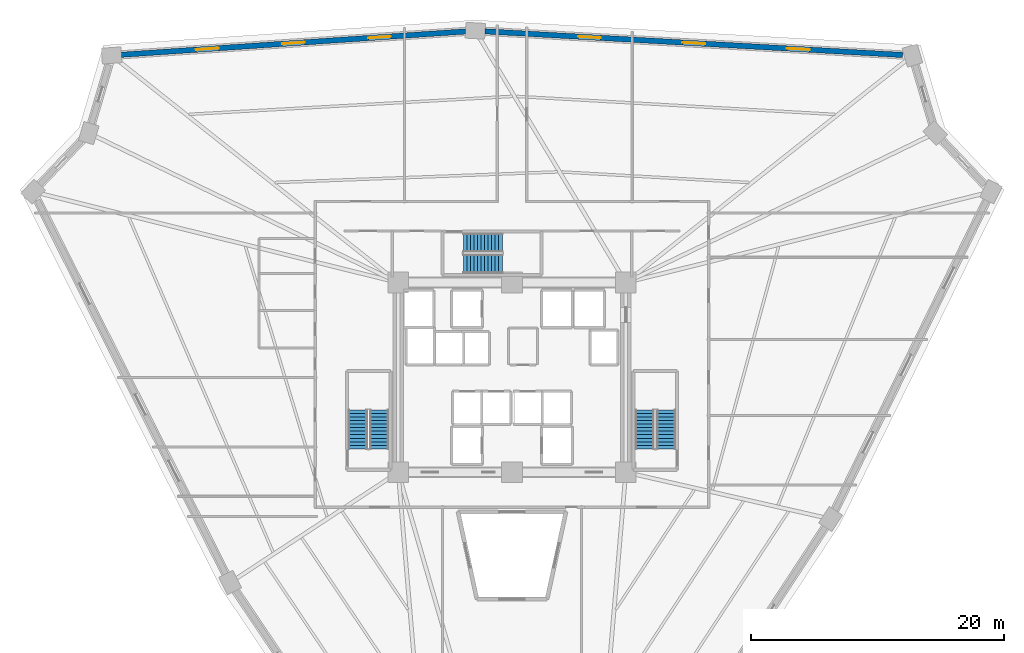
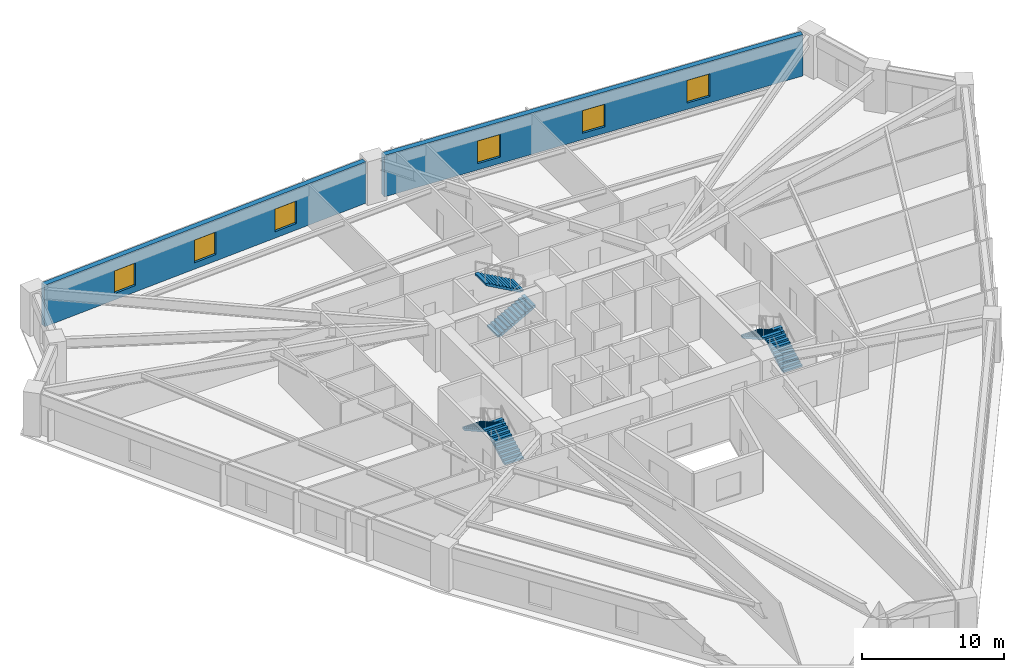
# One storey, part 7 of 8: 6 stair flights, 6 windows, 2 walls, 6 openings, 3 elements without a shape of their own.
"""IFC4 building model written with IfcOpenShell, lengths in metres."""

import ifcopenshell
import ifcopenshell.guid

model = None  # the IFC model being written
_history = None  # IfcOwnerHistory: only IFC2X3 demands one
_inside = {}  # id of a spatial element -> (the spatial element, [elements in it])
_under = {}  # id of a project, library or spatial element -> (it, [spatial elements below it])
_declared = {}  # id of a project -> (the project, [libraries it declares])
_typed = {}  # id of a type object -> (the type object, [elements of that type])
_made_of = {}  # id of a material, layer set ... -> (it, [elements and type objects made of it])


def new_model(schema):
    """Start an empty IFC model of exactly this schema.

    Asked for "IFC4X3", IfcOpenShell would pick the latest addendum, in which some entities
    have other attributes; the version numbers below select the first issue.
    IFC2X3 requires an IfcOwnerHistory on every rooted entity: one is made here for all.
    """
    global model, _history
    if schema == "IFC4X3":
        model = ifcopenshell.file(schema_version=(4, 3, 0, 0))
    else:
        model = ifcopenshell.file(schema=schema)
    _inside.clear()
    _under.clear()
    _declared.clear()
    _typed.clear()
    _made_of.clear()
    _history = None
    if model.schema == "IFC2X3":
        org = make("IfcOrganization", Name="unknown")
        user = make(
            "IfcPersonAndOrganization",
            ThePerson=make("IfcPerson", FamilyName="unknown"),
            TheOrganization=org,
        )
        app = make(
            "IfcApplication",
            ApplicationDeveloper=org,
            Version="unknown",
            ApplicationFullName="unknown",
            ApplicationIdentifier="unknown",
        )
        _history = make(
            "IfcOwnerHistory",
            OwningUser=user,
            OwningApplication=app,
            ChangeAction="ADDED",
            CreationDate=0,
        )
    return model


def make(cls, **values):
    """One entity of the class cls with the attributes given. An attribute that is None is left unset."""
    return model.create_entity(
        cls, **{name: value for name, value in values.items() if value is not None}
    )


def rooted(cls, **values):
    """An entity with a GlobalId (a new one), such as an element, a storey or a relation."""
    return make(cls, GlobalId=ifcopenshell.guid.new(), OwnerHistory=_history, **values)


def si_unit(unit_type, name, prefix=None):
    """IfcSIUnit, for example si_unit("LENGTHUNIT", "METRE", prefix="MILLI")."""
    return make("IfcSIUnit", UnitType=unit_type, Prefix=prefix, Name=name)


def assignment(units):
    """IfcUnitAssignment: the units of a project."""
    return None if units is None else make("IfcUnitAssignment", Units=units)


def point(xyz):
    """IfcCartesianPoint."""
    return None if xyz is None else make("IfcCartesianPoint", Coordinates=xyz)


def direction(xyz):
    """IfcDirection."""
    return None if xyz is None else make("IfcDirection", DirectionRatios=xyz)


def frame(location, z_axis=None, x_axis=None):
    """IfcAxis2Placement3D, a coordinate frame: its origin and axes. An axis left out is left unset."""
    return make(
        "IfcAxis2Placement3D",
        Location=point(location),
        Axis=direction(z_axis),
        RefDirection=direction(x_axis),
    )


def frame_2d(location, x_axis=None):
    """IfcAxis2Placement2D, a coordinate frame in the plane: its origin and x axis."""
    return make(
        "IfcAxis2Placement2D", Location=point(location), RefDirection=direction(x_axis)
    )


def origin():
    """The frame at (0, 0, 0) with its axes left unset."""
    return frame((0.0, 0.0, 0.0))


def place(relative_to, where):
    """IfcLocalPlacement: puts the frame where relative to a parent placement (None: the world)."""
    return make(
        "IfcLocalPlacement", PlacementRelTo=relative_to, RelativePlacement=where
    )


def context(
    kind, dimensions, precision=None, world=None, true_north=None, identifier=None
):
    """IfcGeometricRepresentationContext, for example the 3D "Model" context."""
    return make(
        "IfcGeometricRepresentationContext",
        ContextIdentifier=identifier,
        ContextType=kind,
        CoordinateSpaceDimension=dimensions,
        Precision=precision,
        WorldCoordinateSystem=world,
        TrueNorth=true_north,
    )


def subcontext(parent, identifier, kind, view, scale=None):
    """IfcGeometricRepresentationSubContext, for example "Body" below "Model"."""
    return make(
        "IfcGeometricRepresentationSubContext",
        ContextIdentifier=identifier,
        ContextType=kind,
        ParentContext=parent,
        TargetScale=scale,
        TargetView=view,
    )


def project(units=None, contexts=None):
    """IfcProject with its units and contexts."""
    return rooted(
        "IfcProject",
        Name="project",
        RepresentationContexts=contexts,
        UnitsInContext=assignment(units),
    )


def spatial(cls, under=None, at=None, **own):
    """A site, building, storey or space (cls), placed at a placement, below another one or the project."""
    s = rooted(cls, ObjectPlacement=at, **own)
    if under is not None:
        _under.setdefault(under.id(), (under, []))[1].append(s)
    return s


def polyline(points):
    """IfcPolyline through the points."""
    return make("IfcPolyline", Points=[point(p) for p in points])


def profile(cls, at=None, kind="AREA", **sizes):
    """A parametric profile (cls). Its sizes go by their IFC names, for example OverallWidth=200.0."""
    return make(cls, ProfileType=kind, Position=at, **sizes)


def rectangle(**sizes):
    """IfcRectangleProfileDef."""
    return profile("IfcRectangleProfileDef", **sizes)


def outline(outer, holes=None, kind="AREA"):
    """IfcArbitraryClosedProfileDef: a profile drawn as a closed curve; with holes, ...WithVoids."""
    if holes is None:
        return make("IfcArbitraryClosedProfileDef", ProfileType=kind, OuterCurve=outer)
    return make(
        "IfcArbitraryProfileDefWithVoids",
        ProfileType=kind,
        OuterCurve=outer,
        InnerCurves=holes,
    )


def extrude(swept, where, along, depth):
    """IfcExtrudedAreaSolid: the profile swept, set in the frame where, extruded along a direction by depth."""
    return make(
        "IfcExtrudedAreaSolid",
        SweptArea=swept,
        Position=where,
        ExtrudedDirection=direction(along),
        Depth=depth,
    )


def shape(context_of_items, identifier, shape_type, items):
    """IfcShapeRepresentation: the items that make up one representation, for example the "Body"."""
    return make(
        "IfcShapeRepresentation",
        ContextOfItems=context_of_items,
        RepresentationIdentifier=identifier,
        RepresentationType=shape_type,
        Items=items,
    )


def source(mapping_origin, context_of_items, identifier, shape_type, items):
    """IfcRepresentationMap: a shape defined once, which mapped items show again and again."""
    return make(
        "IfcRepresentationMap",
        MappingOrigin=mapping_origin,
        MappedRepresentation=shape(context_of_items, identifier, shape_type, items),
    )


def transform(
    local_origin,
    x_axis=None,
    y_axis=None,
    z_axis=None,
    scale=None,
    scale2=None,
    scale3=None,
    uniform=True,
):
    """IfcCartesianTransformationOperator3D, or its non-uniform kind. x_axis, y_axis, z_axis: its Axis1, 2, 3."""
    if uniform:
        return make(
            "IfcCartesianTransformationOperator3D",
            Axis1=direction(x_axis),
            Axis2=direction(y_axis),
            LocalOrigin=point(local_origin),
            Scale=scale,
            Axis3=direction(z_axis),
        )
    return make(
        "IfcCartesianTransformationOperator3DnonUniform",
        Axis1=direction(x_axis),
        Axis2=direction(y_axis),
        LocalOrigin=point(local_origin),
        Scale=scale,
        Axis3=direction(z_axis),
        Scale2=scale2,
        Scale3=scale3,
    )


def mapped(mapping_source, mapping_target):
    """IfcMappedItem: shows the shape of a source again, moved by a transform."""
    return make(
        "IfcMappedItem", MappingSource=mapping_source, MappingTarget=mapping_target
    )


def material(Name=None, Category=None):
    """IfcMaterial."""
    return make("IfcMaterial", Name=Name, Category=Category)


def layer(
    of_material, thickness, ventilated=None, Name=None, Category=None, Priority=None
):
    """IfcMaterialLayer: one layer of a wall or slab, of a material (None: an air gap)."""
    return make(
        "IfcMaterialLayer",
        Material=of_material,
        LayerThickness=thickness,
        IsVentilated=ventilated,
        Name=Name,
        Category=Category,
        Priority=Priority,
    )


def layer_set(layers, Name=None):
    """IfcMaterialLayerSet."""
    return make("IfcMaterialLayerSet", MaterialLayers=layers, LayerSetName=Name)


def made_of(thing, what):
    """Note that an element or type object is made of a material, layer set ...; save() writes the relation."""
    if what is not None:
        _made_of.setdefault(what.id(), (what, []))[1].append(thing)
    return thing


def type_object(cls, material=None, **own):
    """A type object (cls), such as IfcWallType, which elements share."""
    return made_of(rooted(cls, **own), material)


def element(
    cls,
    number,
    at=None,
    inside=None,
    cuts=None,
    type_object=None,
    material=None,
    context=None,
    identifier="Body",
    shape_type=None,
    held_by="IfcProductDefinitionShape",
    body=None,
    shapes=None,
    **own,
):
    """One element of the class cls, such as IfcWall. Its Tag is "e" and its number.

    at: its placement. inside: the storey or other place that contains it. cuts: it is an
    opening in that element (IfcRelVoidsElement). A single representation is given by context,
    identifier, shape_type and body (its items); several are given by shapes. held_by: the class
    of the entity that holds the representations. save() writes the other relations.
    """
    e = rooted(cls, Tag="e%d" % number, ObjectPlacement=at, **own)
    if body is not None:
        shapes = [shape(context, identifier, shape_type, body)]
    if shapes is not None:
        e.Representation = make(held_by, Representations=shapes)
    if inside is not None:
        _inside.setdefault(inside.id(), (inside, []))[1].append(e)
    if cuts is not None:
        rooted(
            "IfcRelVoidsElement", RelatingBuildingElement=cuts, RelatedOpeningElement=e
        )
    if type_object is not None:
        _typed.setdefault(type_object.id(), (type_object, []))[1].append(e)
    return made_of(e, material)


def fill(opening, filler):
    """IfcRelFillsElement: the door or window that sits in an opening."""
    return rooted(
        "IfcRelFillsElement",
        RelatingOpeningElement=opening,
        RelatedBuildingElement=filler,
    )


def aggregate(whole, parts):
    """IfcRelAggregates: a whole, such as a stair, and the parts it consists of."""
    return rooted("IfcRelAggregates", RelatingObject=whole, RelatedObjects=parts)


def save(model, path):
    """Write the relations noted so far, then the file.

    IfcRelAggregates (storeys below a building ...), IfcRelContainedInSpatialStructure (elements
    in a storey), IfcRelDefinesByType, IfcRelAssociatesMaterial and IfcRelDeclares: one each for
    every whole, place, type object, material and project.
    """
    for whole, parts in _under.values():
        aggregate(whole, parts)
    for where, things in _inside.values():
        rooted(
            "IfcRelContainedInSpatialStructure",
            RelatedElements=things,
            RelatingStructure=where,
        )
    for kind, things in _typed.values():
        rooted("IfcRelDefinesByType", RelatedObjects=things, RelatingType=kind)
    for what, things in _made_of.values():
        rooted("IfcRelAssociatesMaterial", RelatedObjects=things, RelatingMaterial=what)
    for by, libraries in _declared.values():
        rooted("IfcRelDeclares", RelatingContext=by, RelatedDefinitions=libraries)
    model.write(path)


model = new_model("IFC4")

# Units and contexts
model_context = context("Model", 3, precision=1e-05, world=origin(), true_north=direction((0.0, 1.0)))
body_context = subcontext(model_context, "Body", "Model", "MODEL_VIEW")
ifc_project = project(units=[si_unit("LENGTHUNIT", "METRE"), si_unit("AREAUNIT", "SQUARE_METRE"), si_unit("VOLUMEUNIT", "CUBIC_METRE"), si_unit("PLANEANGLEUNIT", "RADIAN"), si_unit("MASSUNIT", "GRAM", prefix="KILO")], contexts=[model_context])

# Site, building, storey
site_placement = place(None, origin())
site = spatial("IfcSite", under=ifc_project, at=site_placement, CompositionType="ELEMENT")
building_placement = place(site_placement, origin())
building = spatial("IfcBuilding", under=site, at=building_placement, Name="Liaohun Quay Tower", CompositionType="ELEMENT")
storey_placement = place(building_placement, frame((0.0, 0.0, 78.0)))
storey = spatial("IfcBuildingStorey", under=building, at=storey_placement, Name="L20", CompositionType="ELEMENT", Elevation=78.0)

# Wall, openings, windows
ifc_material_1 = material(Name="Precast concrete C50 insulated sandwich", Category="concrete")
ifc_layer = layer(ifc_material_1, 0.419921875, Name="Precast concrete C50 insulated sandwich", Category="concrete")
ifc_layer_set = layer_set([ifc_layer], Name="Precast concrete C50 insulated sandwich")
wall_type = type_object("IfcWallType", Name="WAL-EXT-Z12", PredefinedType="SOLIDWALL", material=ifc_layer_set)
wall_1_placement = place(storey_placement, frame((90.902099609375, 79.5029296875, 0.0), z_axis=(0.0, 0.0, 1.0), x_axis=(-0.998398734181, 0.056568255998, 0.0)))
wall_1 = element("IfcWall", 1, at=wall_1_placement, inside=storey, type_object=wall_type, Name="L20 Brutalist Precast Pier Wall 06", PredefinedType="SOLIDWALL", context=body_context, shape_type="SweptSolid", body=[
    extrude(rectangle(XDim=33.093994140625, YDim=0.419921875, at=frame_2d((16.546875, 0.0))), origin(), (0.0, 0.0, 1.0), 3.570068359375),
])
shared_shape_1 = source(origin(), body_context, "Body", "SweptSolid", [
    extrude(rectangle(XDim=1.800048828125, YDim=1.949951171875, at=frame_2d((0.89990234375, 0.97509765625))), frame((0.0, 0.219970703125, 0.0), z_axis=(0.0, -1.0, 0.0), x_axis=(1.0, 0.0, 0.0)), (0.0, 0.0, 1.0), 0.43994140625),
])
opening_1_placement = place(wall_1_placement, frame((7.373046875, 0.0, 0.550048828125)))
opening_1 = element("IfcOpeningElement", 2, at=opening_1_placement, cuts=wall_1, Name="Opening W01", PredefinedType="OPENING", context=body_context, shape_type="MappedRepresentation", body=[
    mapped(shared_shape_1, transform((0.0, 0.0, 0.0), x_axis=(1.0, 0.0, 0.0), y_axis=(0.0, 1.0, 0.0), z_axis=(0.0, 0.0, 1.0), scale=1.0)),
])
opening_2_placement = place(wall_1_placement, frame((15.64697265625, 0.0, 0.550048828125)))
opening_2 = element("IfcOpeningElement", 3, at=opening_2_placement, cuts=wall_1, Name="Opening W01", PredefinedType="OPENING", context=body_context, shape_type="MappedRepresentation", body=[
    mapped(shared_shape_1, transform((0.0, 0.0, 0.0), x_axis=(1.0, 0.0, 0.0), y_axis=(0.0, 1.0, 0.0), z_axis=(0.0, 0.0, 1.0), scale=1.0)),
])
opening_3_placement = place(wall_1_placement, frame((23.919921875, 0.0, 0.550048828125)))
opening_3 = element("IfcOpeningElement", 4, at=opening_3_placement, cuts=wall_1, Name="Opening W01", PredefinedType="OPENING", context=body_context, shape_type="MappedRepresentation", body=[
    mapped(shared_shape_1, transform((0.0, 0.0, 0.0), x_axis=(1.0, 0.0, 0.0), y_axis=(0.0, 1.0, 0.0), z_axis=(0.0, 0.0, 1.0), scale=1.0)),
])
ifc_material_2 = material(Name="Triple Low-E argon glazing in thermally broken aluminium", Category="aluminium")
window_type = type_object("IfcWindowType", Name="WIN-PUN-Z1", PartitioningType="DOUBLE_PANEL_VERTICAL", PredefinedType="WINDOW", material=ifc_material_2)
shared_shape_2 = source(origin(), body_context, "Body", "SweptSolid", [
    extrude(rectangle(XDim=1.800048828125, YDim=1.949951171875, at=frame_2d((0.89990234375, 0.97509765625))), frame((0.0, 0.030029296875, 0.0), z_axis=(0.0, -1.0, 0.0), x_axis=(1.0, 0.0, 0.0)), (0.0, 0.0, 1.0), 0.06005859375),
])
window_1_placement = place(opening_1_placement, origin())
window_1 = element("IfcWindow", 5, at=window_1_placement, inside=storey, type_object=window_type, Name="L20 Recessed Cold-Climate Punched Window 06-1", OverallHeight=1.949951171875, OverallWidth=1.800048828125, PartitioningType="DOUBLE_PANEL_VERTICAL", PredefinedType="WINDOW", context=body_context, shape_type="MappedRepresentation", body=[
    mapped(shared_shape_2, transform((0.0, 0.0, 0.0), x_axis=(1.0, 0.0, 0.0), y_axis=(0.0, 1.0, 0.0), z_axis=(0.0, 0.0, 1.0), scale=1.0)),
])
fill(opening_1, window_1)
window_2_placement = place(opening_2_placement, origin())
window_2 = element("IfcWindow", 6, at=window_2_placement, inside=storey, type_object=window_type, Name="L20 Recessed Cold-Climate Punched Window 06-2", OverallHeight=1.949951171875, OverallWidth=1.800048828125, PartitioningType="DOUBLE_PANEL_VERTICAL", PredefinedType="WINDOW", context=body_context, shape_type="MappedRepresentation", body=[
    mapped(shared_shape_2, transform((0.0, 0.0, 0.0), x_axis=(1.0, 0.0, 0.0), y_axis=(0.0, 1.0, 0.0), z_axis=(0.0, 0.0, 1.0), scale=1.0)),
])
fill(opening_2, window_2)
window_3_placement = place(opening_3_placement, origin())
window_3 = element("IfcWindow", 7, at=window_3_placement, inside=storey, type_object=window_type, Name="L20 Recessed Cold-Climate Punched Window 06-3", OverallHeight=1.949951171875, OverallWidth=1.800048828125, PartitioningType="DOUBLE_PANEL_VERTICAL", PredefinedType="WINDOW", context=body_context, shape_type="MappedRepresentation", body=[
    mapped(shared_shape_2, transform((0.0, 0.0, 0.0), x_axis=(1.0, 0.0, 0.0), y_axis=(0.0, 1.0, 0.0), z_axis=(0.0, 0.0, 1.0), scale=1.0)),
])
fill(opening_3, window_3)

wall_2_placement = place(storey_placement, frame((56.333984375, 81.365966796875, 0.0), z_axis=(0.0, 0.0, 1.0), x_axis=(-0.997708484566, -0.067659292233, 0.0)))
wall_2 = element("IfcWall", 8, at=wall_2_placement, inside=storey, type_object=wall_type, Name="L20 Brutalist Precast Pier Wall 07", PredefinedType="SOLIDWALL", context=body_context, shape_type="SweptSolid", body=[
    extrude(rectangle(XDim=27.29736328125, YDim=0.419921875, at=frame_2d((13.648681640625, 0.0))), origin(), (0.0, 0.0, 1.0), 3.570068359375),
])
opening_4_placement = place(wall_2_placement, frame((5.924072265625, 0.0, 0.550048828125)))
opening_4 = element("IfcOpeningElement", 9, at=opening_4_placement, cuts=wall_2, Name="Opening W01", PredefinedType="OPENING", context=body_context, shape_type="MappedRepresentation", body=[
    mapped(shared_shape_1, transform((0.0, 0.0, 0.0), x_axis=(1.0, 0.0, 0.0), y_axis=(0.0, 1.0, 0.0), z_axis=(0.0, 0.0, 1.0), scale=1.0)),
])
opening_5_placement = place(wall_2_placement, frame((12.7490234375, 0.0, 0.550048828125)))
opening_5 = element("IfcOpeningElement", 10, at=opening_5_placement, cuts=wall_2, Name="Opening W01", PredefinedType="OPENING", context=body_context, shape_type="MappedRepresentation", body=[
    mapped(shared_shape_1, transform((0.0, 0.0, 0.0), x_axis=(1.0, 0.0, 0.0), y_axis=(0.0, 1.0, 0.0), z_axis=(0.0, 0.0, 1.0), scale=1.0)),
])
opening_6_placement = place(wall_2_placement, frame((19.572998046875, 0.0, 0.550048828125)))
opening_6 = element("IfcOpeningElement", 11, at=opening_6_placement, cuts=wall_2, Name="Opening W01", PredefinedType="OPENING", context=body_context, shape_type="MappedRepresentation", body=[
    mapped(shared_shape_1, transform((0.0, 0.0, 0.0), x_axis=(1.0, 0.0, 0.0), y_axis=(0.0, 1.0, 0.0), z_axis=(0.0, 0.0, 1.0), scale=1.0)),
])
window_4_placement = place(opening_4_placement, origin())
window_4 = element("IfcWindow", 12, at=window_4_placement, inside=storey, type_object=window_type, Name="L20 Recessed Cold-Climate Punched Window 07-1", OverallHeight=1.949951171875, OverallWidth=1.800048828125, PartitioningType="DOUBLE_PANEL_VERTICAL", PredefinedType="WINDOW", context=body_context, shape_type="MappedRepresentation", body=[
    mapped(shared_shape_2, transform((0.0, 0.0, 0.0), x_axis=(1.0, 0.0, 0.0), y_axis=(0.0, 1.0, 0.0), z_axis=(0.0, 0.0, 1.0), scale=1.0)),
])
fill(opening_4, window_4)
window_5_placement = place(opening_5_placement, origin())
window_5 = element("IfcWindow", 13, at=window_5_placement, inside=storey, type_object=window_type, Name="L20 Recessed Cold-Climate Punched Window 07-2", OverallHeight=1.949951171875, OverallWidth=1.800048828125, PartitioningType="DOUBLE_PANEL_VERTICAL", PredefinedType="WINDOW", context=body_context, shape_type="MappedRepresentation", body=[
    mapped(shared_shape_2, transform((0.0, 0.0, 0.0), x_axis=(1.0, 0.0, 0.0), y_axis=(0.0, 1.0, 0.0), z_axis=(0.0, 0.0, 1.0), scale=1.0)),
])
fill(opening_5, window_5)
window_6_placement = place(opening_6_placement, origin())
window_6 = element("IfcWindow", 14, at=window_6_placement, inside=storey, type_object=window_type, Name="L20 Recessed Cold-Climate Punched Window 07-3", OverallHeight=1.949951171875, OverallWidth=1.800048828125, PartitioningType="DOUBLE_PANEL_VERTICAL", PredefinedType="WINDOW", context=body_context, shape_type="MappedRepresentation", body=[
    mapped(shared_shape_2, transform((0.0, 0.0, 0.0), x_axis=(1.0, 0.0, 0.0), y_axis=(0.0, 1.0, 0.0), z_axis=(0.0, 0.0, 1.0), scale=1.0)),
])
fill(opening_6, window_6)

# Stair, stair flights
ifc_material_3 = material(Name="Concrete C45", Category="concrete")
stair_type = type_object("IfcStairType", Name="STR-CORE-OFF", PredefinedType="HALF_TURN_STAIR", material=ifc_material_3)
stair_1_placement = place(storey_placement, origin())
stair_1 = element("IfcStair", 15, at=stair_1_placement, inside=storey, type_object=stair_type, Name="L20 Smokeproof Core Exit Stair ST-1", PredefinedType="HALF_TURN_STAIR")
stair_flight_type = type_object("IfcStairFlightType", Name="FLT-CORE-155", PredefinedType="STRAIGHT", material=ifc_material_3)
stair_flight_1_placement = place(storey_placement, frame((49.5048828125, 48.35009765625, 0.0), z_axis=(0.0, 0.0, 1.0), x_axis=(0.0, 1.0, 0.0)))
stair_flight_1 = element("IfcStairFlight", 16, at=stair_flight_1_placement, type_object=stair_flight_type, Name="ST-1 flight 1", NumberOfRisers=12, NumberOfTreads=11, PredefinedType="STRAIGHT", RiserHeight=0.15625, TreadLength=0.28, context=body_context, shape_type="SweptSolid", body=[
    extrude(outline(polyline([(0.0, 0.0), (0.0, 0.15625), (0.280029296875, 0.15625), (0.280029296875, 0.3125), (0.56005859375, 0.3125), (0.56005859375, 0.46875), (0.840087890625, 0.46875), (0.840087890625, 0.625), (1.1201171875, 0.625), (1.1201171875, 0.78125), (1.39990234375, 0.78125), (1.39990234375, 0.9375), (1.679931640625, 0.9375), (1.679931640625, 1.09375), (1.9599609375, 1.09375), (1.9599609375, 1.25), (2.239990234375, 1.25), (2.239990234375, 1.40625), (2.52001953125, 1.40625), (2.52001953125, 1.5625), (2.800048828125, 1.5625), (2.800048828125, 1.71875), (3.080078125, 1.71875), (3.080078125, 1.875), (3.080078125, 1.547119140625), (0.3076171875, 0.0), (0.0, 0.0)])), frame((0.0, 0.77490234375, 0.0), z_axis=(0.0, -1.0, 0.0), x_axis=(1.0, 0.0, 0.0)), (0.0, 0.0, 1.0), 1.550048828125),
])
stair_flight_2_placement = place(storey_placement, frame((47.81494140625, 51.429931640625, 1.875), z_axis=(0.0, 0.0, 1.0), x_axis=(0.0, -1.0, 0.0)))
stair_flight_2 = element("IfcStairFlight", 17, at=stair_flight_2_placement, type_object=stair_flight_type, Name="ST-1 flight 2", NumberOfRisers=12, NumberOfTreads=11, PredefinedType="STRAIGHT", RiserHeight=0.15625, TreadLength=0.28, context=body_context, shape_type="SweptSolid", body=[
    extrude(outline(polyline([(0.0, 0.0), (0.0, 0.15625), (0.280029296875, 0.15625), (0.280029296875, 0.3125), (0.56005859375, 0.3125), (0.56005859375, 0.46875), (0.840087890625, 0.46875), (0.840087890625, 0.625), (1.1201171875, 0.625), (1.1201171875, 0.78125), (1.39990234375, 0.78125), (1.39990234375, 0.9375), (1.679931640625, 0.9375), (1.679931640625, 1.09375), (1.9599609375, 1.09375), (1.9599609375, 1.25), (2.239990234375, 1.25), (2.239990234375, 1.40625), (2.52001953125, 1.40625), (2.52001953125, 1.5625), (2.800048828125, 1.5625), (2.800048828125, 1.71875), (3.080078125, 1.71875), (3.080078125, 1.875), (3.080078125, 1.547119140625), (0.3076171875, 0.0), (0.0, 0.0)])), frame((0.0, 0.77490234375, 0.0), z_axis=(0.0, -1.0, 0.0), x_axis=(1.0, 0.0, 0.0)), (0.0, 0.0, 1.0), 1.550048828125),
])
aggregate(stair_1, [stair_flight_1, stair_flight_2])

stair_2_placement = place(storey_placement, origin())
stair_2 = element("IfcStair", 18, at=stair_2_placement, inside=storey, type_object=stair_type, Name="L20 Smokeproof Core Exit Stair ST-2", PredefinedType="HALF_TURN_STAIR")
stair_flight_3_placement = place(storey_placement, frame((72.18505859375, 48.35009765625, 0.0), z_axis=(0.0, 0.0, 1.0), x_axis=(0.0, 1.0, 0.0)))
stair_flight_3 = element("IfcStairFlight", 19, at=stair_flight_3_placement, type_object=stair_flight_type, Name="ST-2 flight 1", NumberOfRisers=12, NumberOfTreads=11, PredefinedType="STRAIGHT", RiserHeight=0.15625, TreadLength=0.28, context=body_context, shape_type="SweptSolid", body=[
    extrude(outline(polyline([(0.0, 0.0), (0.0, 0.15625), (0.280029296875, 0.15625), (0.280029296875, 0.3125), (0.56005859375, 0.3125), (0.56005859375, 0.46875), (0.840087890625, 0.46875), (0.840087890625, 0.625), (1.1201171875, 0.625), (1.1201171875, 0.78125), (1.39990234375, 0.78125), (1.39990234375, 0.9375), (1.679931640625, 0.9375), (1.679931640625, 1.09375), (1.9599609375, 1.09375), (1.9599609375, 1.25), (2.239990234375, 1.25), (2.239990234375, 1.40625), (2.52001953125, 1.40625), (2.52001953125, 1.5625), (2.800048828125, 1.5625), (2.800048828125, 1.71875), (3.080078125, 1.71875), (3.080078125, 1.875), (3.080078125, 1.547119140625), (0.3076171875, 0.0), (0.0, 0.0)])), frame((0.0, 0.77490234375, 0.0), z_axis=(0.0, -1.0, 0.0), x_axis=(1.0, 0.0, 0.0)), (0.0, 0.0, 1.0), 1.550048828125),
])
stair_flight_4_placement = place(storey_placement, frame((70.4951171875, 51.429931640625, 1.875), z_axis=(0.0, 0.0, 1.0), x_axis=(0.0, -1.0, 0.0)))
stair_flight_4 = element("IfcStairFlight", 20, at=stair_flight_4_placement, type_object=stair_flight_type, Name="ST-2 flight 2", NumberOfRisers=12, NumberOfTreads=11, PredefinedType="STRAIGHT", RiserHeight=0.15625, TreadLength=0.28, context=body_context, shape_type="SweptSolid", body=[
    extrude(outline(polyline([(0.0, 0.0), (0.0, 0.15625), (0.280029296875, 0.15625), (0.280029296875, 0.3125), (0.56005859375, 0.3125), (0.56005859375, 0.46875), (0.840087890625, 0.46875), (0.840087890625, 0.625), (1.1201171875, 0.625), (1.1201171875, 0.78125), (1.39990234375, 0.78125), (1.39990234375, 0.9375), (1.679931640625, 0.9375), (1.679931640625, 1.09375), (1.9599609375, 1.09375), (1.9599609375, 1.25), (2.239990234375, 1.25), (2.239990234375, 1.40625), (2.52001953125, 1.40625), (2.52001953125, 1.5625), (2.800048828125, 1.5625), (2.800048828125, 1.71875), (3.080078125, 1.71875), (3.080078125, 1.875), (3.080078125, 1.547119140625), (0.3076171875, 0.0), (0.0, 0.0)])), frame((0.0, 0.77490234375, 0.0), z_axis=(0.0, -1.0, 0.0), x_axis=(1.0, 0.0, 0.0)), (0.0, 0.0, 1.0), 1.550048828125),
])
aggregate(stair_2, [stair_flight_3, stair_flight_4])

stair_3_placement = place(storey_placement, origin())
stair_3 = element("IfcStair", 21, at=stair_3_placement, inside=storey, type_object=stair_type, Name="L20 Smokeproof Core Exit Stair ST-3", PredefinedType="HALF_TURN_STAIR")
stair_flight_5_placement = place(storey_placement, frame((56.14990234375, 62.97509765625, 0.0), z_axis=(0.0, 0.0, 1.0), x_axis=(1.0, 0.0, 0.0)))
stair_flight_5 = element("IfcStairFlight", 22, at=stair_flight_5_placement, type_object=stair_flight_type, Name="ST-3 flight 1", NumberOfRisers=12, NumberOfTreads=11, PredefinedType="STRAIGHT", RiserHeight=0.15625, TreadLength=0.28, context=body_context, shape_type="SweptSolid", body=[
    extrude(outline(polyline([(0.0, 0.0), (0.0, 0.15625), (0.280029296875, 0.15625), (0.280029296875, 0.3125), (0.56005859375, 0.3125), (0.56005859375, 0.46875), (0.840087890625, 0.46875), (0.840087890625, 0.625), (1.1201171875, 0.625), (1.1201171875, 0.78125), (1.39990234375, 0.78125), (1.39990234375, 0.9375), (1.679931640625, 0.9375), (1.679931640625, 1.09375), (1.9599609375, 1.09375), (1.9599609375, 1.25), (2.239990234375, 1.25), (2.239990234375, 1.40625), (2.52001953125, 1.40625), (2.52001953125, 1.5625), (2.800048828125, 1.5625), (2.800048828125, 1.71875), (3.080078125, 1.71875), (3.080078125, 1.875), (3.080078125, 1.547119140625), (0.3076171875, 0.0), (0.0, 0.0)])), frame((0.0, 0.77490234375, 0.0), z_axis=(0.0, -1.0, 0.0), x_axis=(1.0, 0.0, 0.0)), (0.0, 0.0, 1.0), 1.550048828125),
])
stair_flight_6_placement = place(storey_placement, frame((59.22998046875, 64.6650390625, 1.875), z_axis=(0.0, 0.0, 1.0), x_axis=(-1.0, 0.0, 0.0)))
stair_flight_6 = element("IfcStairFlight", 23, at=stair_flight_6_placement, type_object=stair_flight_type, Name="ST-3 flight 2", NumberOfRisers=12, NumberOfTreads=11, PredefinedType="STRAIGHT", RiserHeight=0.15625, TreadLength=0.28, context=body_context, shape_type="SweptSolid", body=[
    extrude(outline(polyline([(0.0, 0.0), (0.0, 0.15625), (0.280029296875, 0.15625), (0.280029296875, 0.3125), (0.56005859375, 0.3125), (0.56005859375, 0.46875), (0.840087890625, 0.46875), (0.840087890625, 0.625), (1.1201171875, 0.625), (1.1201171875, 0.78125), (1.39990234375, 0.78125), (1.39990234375, 0.9375), (1.679931640625, 0.9375), (1.679931640625, 1.09375), (1.9599609375, 1.09375), (1.9599609375, 1.25), (2.239990234375, 1.25), (2.239990234375, 1.40625), (2.52001953125, 1.40625), (2.52001953125, 1.5625), (2.800048828125, 1.5625), (2.800048828125, 1.71875), (3.080078125, 1.71875), (3.080078125, 1.875), (3.080078125, 1.547119140625), (0.3076171875, 0.0), (0.0, 0.0)])), frame((0.0, 0.77490234375, 0.0), z_axis=(0.0, -1.0, 0.0), x_axis=(1.0, 0.0, 0.0)), (0.0, 0.0, 1.0), 1.550048828125),
])
aggregate(stair_3, [stair_flight_5, stair_flight_6])

save(model, "model.ifc")
